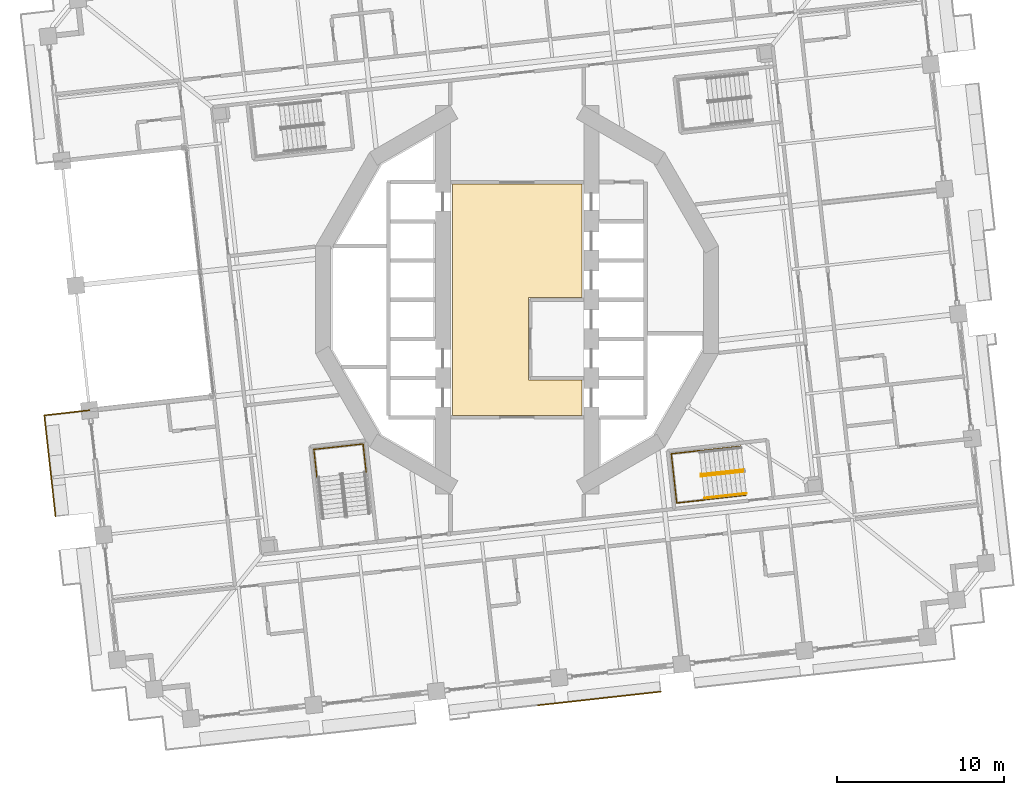
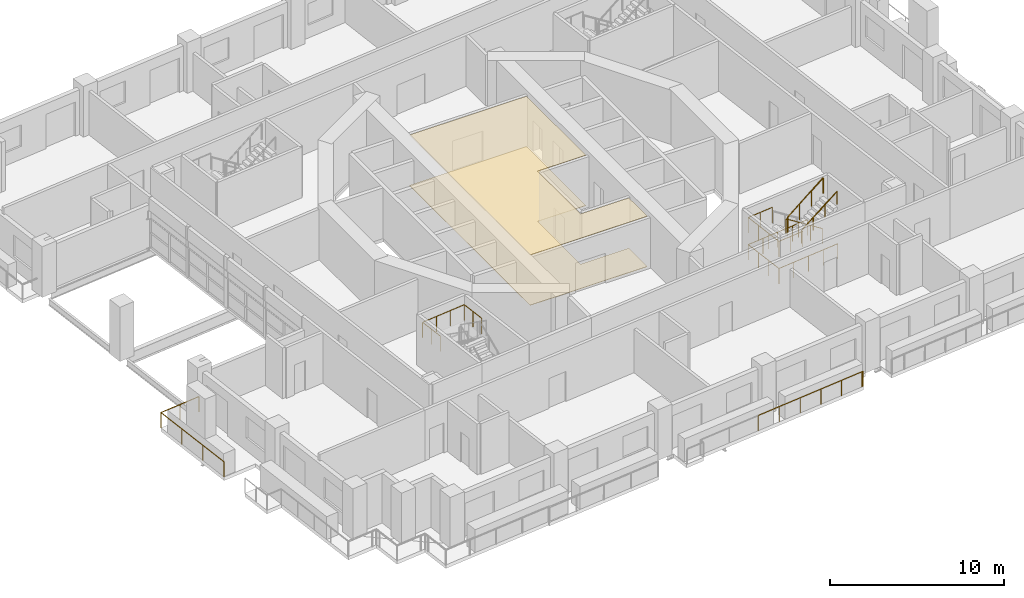
# One storey, part 16 of 21: 8 railings, 2 coverings.
"""IFC4 building model written with IfcOpenShell, lengths in metres."""

from ifc_helpers import new_model, si_unit, direction, frame, origin, origin_2d, place, context, subcontext, project, spatial, polyline, circle, outline, extrude, material, layer, layer_set, type_object, element, save


model = new_model("IFC4")

# Units and contexts
model_context = context("Model", 3, precision=1e-05, world=origin(), true_north=direction((0.0, 1.0)))
body_context = subcontext(model_context, "Body", "Model", "MODEL_VIEW")
ifc_project = project(units=[si_unit("LENGTHUNIT", "METRE"), si_unit("AREAUNIT", "SQUARE_METRE"), si_unit("VOLUMEUNIT", "CUBIC_METRE"), si_unit("PLANEANGLEUNIT", "RADIAN"), si_unit("MASSUNIT", "GRAM", prefix="KILO")], contexts=[model_context])

# Site, building, storey
site_placement = place(None, origin())
site = spatial("IfcSite", under=ifc_project, at=site_placement, CompositionType="ELEMENT")
building_placement = place(site_placement, origin())
building = spatial("IfcBuilding", under=site, at=building_placement, Name="Cantera Rosa Tower", CompositionType="ELEMENT")
storey_placement = place(building_placement, frame((0.0, 0.0, 72.89990234375)))
storey = spatial("IfcBuildingStorey", under=building, at=storey_placement, Name="L15", CompositionType="ELEMENT", Elevation=72.89990234375)

# Railings
ifc_material_1 = material(Name="Stainless steel and laminated glass", Category="steel")
railing_type_1 = type_object("IfcRailingType", Name="GUARD 1100", PredefinedType="BALUSTRADE", material=ifc_material_1)
railing_1_placement = place(storey_placement, frame((-27.669677734375, -12.9814453125, 0.0)))
element("IfcRailing", 1, at=railing_1_placement, inside=storey, type_object=railing_type_1, Name="GUARD L15-3", PredefinedType="BALUSTRADE", context=body_context, shape_type="SweptSolid", body=[
    extrude(circle(Radius=0.030029296875, at=origin_2d()), frame((0.0, 0.0, 1.070068359375), z_axis=(-0.110286322541, 0.993899857662, 0.0), x_axis=(-0.993899857662, -0.110286322541, 0.0)), (0.0, 0.0, 1.0), 6.08984375),
    extrude(circle(Radius=0.030029296875, at=origin_2d()), frame((-0.671630859375, 6.052734375, 1.070068359375), z_axis=(0.993893608981, 0.110342621082, 0.0), x_axis=(-0.110342621082, 0.993893608981, 0.0)), (0.0, 0.0, 1.0), 2.712646484375),
    extrude(circle(Radius=0.02490234375, at=origin_2d()), origin(), (0.0, 0.0, 1.0), 1.0400390625),
    extrude(circle(Radius=0.02490234375, at=origin_2d()), frame((-0.223876953125, 2.017578125, 0.0)), (0.0, 0.0, 1.0), 1.0400390625),
    extrude(circle(Radius=0.02490234375, at=origin_2d()), frame((-0.44775390625, 4.03515625, 0.0)), (0.0, 0.0, 1.0), 1.0400390625),
    extrude(circle(Radius=0.02490234375, at=origin_2d()), frame((-0.671630859375, 6.052734375, 0.0)), (0.0, 0.0, 1.0), 1.0400390625),
    extrude(circle(Radius=0.02490234375, at=origin_2d()), frame((0.67626953125, 6.202392578125, 0.0)), (0.0, 0.0, 1.0), 1.0400390625),
    extrude(circle(Radius=0.02490234375, at=origin_2d()), frame((2.0244140625, 6.35205078125, 0.0)), (0.0, 0.0, 1.0), 1.0400390625),
])
railing_2_placement = place(storey_placement, frame((8.6142578125, -23.4931640625, 0.0)))
element("IfcRailing", 2, at=railing_2_placement, inside=storey, type_object=railing_type_1, Name="GUARD L15-8", PredefinedType="BALUSTRADE", context=body_context, shape_type="SweptSolid", body=[
    extrude(circle(Radius=0.030029296875, at=origin_2d()), frame((0.0, 0.0, 1.070068359375), z_axis=(-0.994136314057, -0.108134125389, 0.0), x_axis=(0.108134125389, -0.994136314057, 0.0)), (0.0, 0.0, 1.0), 0.070068359375),
    extrude(circle(Radius=0.030029296875, at=origin_2d()), frame((-0.069580078125, -0.007568359375, 1.070068359375), z_axis=(-0.993891851654, -0.110358448777, 0.0), x_axis=(0.110358448777, -0.993891851654, 0.0)), (0.0, 0.0, 1.0), 4.400146484375),
    extrude(circle(Radius=0.030029296875, at=origin_2d()), frame((-4.44287109375, -0.4931640625, 1.070068359375), z_axis=(-0.993901585709, -0.110270748271, 0.0), x_axis=(0.110270748271, -0.993901585709, 0.0)), (0.0, 0.0, 1.0), 3.0),
    extrude(circle(Radius=0.02490234375, at=origin_2d()), origin(), (0.0, 0.0, 1.0), 1.0400390625),
    extrude(circle(Radius=0.02490234375, at=origin_2d()), frame((-0.069580078125, -0.007568359375, 0.0)), (0.0, 0.0, 1.0), 1.0400390625),
    extrude(circle(Radius=0.02490234375, at=origin_2d()), frame((-1.52734375, -0.16943359375, 0.0)), (0.0, 0.0, 1.0), 1.0400390625),
    extrude(circle(Radius=0.02490234375, at=origin_2d()), frame((-2.985107421875, -0.331298828125, 0.0)), (0.0, 0.0, 1.0), 1.0400390625),
    extrude(circle(Radius=0.02490234375, at=origin_2d()), frame((-4.44287109375, -0.4931640625, 0.0)), (0.0, 0.0, 1.0), 1.0400390625),
    extrude(circle(Radius=0.02490234375, at=origin_2d()), frame((-5.93359375, -0.65869140625, 0.0)), (0.0, 0.0, 1.0), 1.0400390625),
    extrude(circle(Radius=0.02490234375, at=origin_2d()), frame((-7.424560546875, -0.823974609375, 0.0)), (0.0, 0.0, 1.0), 1.0400390625),
])
ifc_material_2 = material(Name="Steel S355J2 (EN 10025-2)", Category="steel")
railing_type_2 = type_object("IfcRailingType", Name="STAIR GUARD 1100", PredefinedType="GUARDRAIL", material=ifc_material_2)
railing_3_placement = place(storey_placement, frame((-9.04638671875, -10.3349609375, 1.900146484375)))
element("IfcRailing", 3, at=railing_3_placement, inside=storey, type_object=railing_type_2, Name="L15 ST-13 stair guard 5", PredefinedType="GUARDRAIL", context=body_context, shape_type="SweptSolid", body=[
    extrude(circle(Radius=0.02392578125, at=origin_2d()), frame((0.0, 0.0, 1.076171875), z_axis=(-0.110305577623, 0.993897720867, 0.0), x_axis=(-0.993897720867, -0.110305577623, 0.0)), (0.0, 0.0, 1.0), 1.7021484375),
    extrude(circle(Radius=0.02392578125, at=origin_2d()), frame((-0.187744140625, 1.691650390625, 1.076171875), z_axis=(-0.993896759678, -0.110314237986, 0.0), x_axis=(0.110314237986, -0.993896759678, 0.0)), (0.0, 0.0, 1.0), 2.969970703125),
    extrude(circle(Radius=0.02392578125, at=origin_2d()), frame((-3.1396484375, 1.364013671875, 1.076171875), z_axis=(0.110447269257, -0.993881985305, 0.0), x_axis=(0.993881985305, 0.110447269257, 0.0)), (0.0, 0.0, 1.0), 1.7021484375),
    extrude(circle(Radius=0.02099609375, at=origin_2d()), origin(), (0.0, 0.0, 1.0), 1.052001953125),
    extrude(circle(Radius=0.02099609375, at=origin_2d()), frame((-0.09375, 0.845703125, 0.0)), (0.0, 0.0, 1.0), 1.052001953125),
    extrude(circle(Radius=0.02099609375, at=origin_2d()), frame((-0.187744140625, 1.691650390625, 0.0)), (0.0, 0.0, 1.0), 1.052001953125),
    extrude(circle(Radius=0.02099609375, at=origin_2d()), frame((-1.171630859375, 1.58251953125, 0.0)), (0.0, 0.0, 1.0), 1.052001953125),
    extrude(circle(Radius=0.02099609375, at=origin_2d()), frame((-2.15576171875, 1.47314453125, 0.0)), (0.0, 0.0, 1.0), 1.052001953125),
    extrude(circle(Radius=0.02099609375, at=origin_2d()), frame((-3.1396484375, 1.364013671875, 0.0)), (0.0, 0.0, 1.0), 1.052001953125),
    extrude(circle(Radius=0.02099609375, at=origin_2d()), frame((-3.045654296875, 0.51806640625, 0.0)), (0.0, 0.0, 1.0), 1.052001953125),
    extrude(circle(Radius=0.02099609375, at=origin_2d()), frame((-2.95166015625, -0.32763671875, 0.0)), (0.0, 0.0, 1.0), 1.052001953125),
])
railing_4_placement = place(storey_placement, frame((13.5859375, -10.19677734375, 0.190185546875)))
element("IfcRailing", 4, at=railing_4_placement, inside=storey, type_object=railing_type_2, Name="L15 ST-14 stair guard 1", PredefinedType="GUARDRAIL", context=body_context, shape_type="SweptSolid", body=[
    extrude(circle(Radius=0.02392578125, at=origin_2d()), frame((0.0, 0.0, 1.076171875), z_axis=(-0.822405392514, -0.091316020869, 0.561525382059), x_axis=(0.110357086308, -0.993892002937, 0.0)), (0.0, 0.0, 1.0), 3.045166015625),
    extrude(circle(Radius=0.02392578125, at=origin_2d()), frame((-2.50439453125, -0.278076171875, 2.7861328125), z_axis=(-0.933456941688, 0.358689472963, 0.0), x_axis=(-0.358689472963, -0.933456941688, 0.0)), (0.0, 0.0, 1.0), 0.056396484375),
    extrude(circle(Radius=0.02392578125, at=origin_2d()), frame((-2.55712890625, -0.2578125, 2.7861328125), z_axis=(0.110789159685, -0.993843932464, 0.0), x_axis=(0.993843932464, 0.110789159685, 0.0)), (0.0, 0.0, 1.0), 0.14990234375),
    extrude(circle(Radius=0.02099609375, at=origin_2d()), origin(), (0.0, 0.0, 1.0), 1.052001953125),
    extrude(circle(Radius=0.02099609375, at=origin_2d()), frame((-0.834716796875, -0.0927734375, 0.570068359375)), (0.0, 0.0, 1.0), 1.052001953125),
    extrude(circle(Radius=0.02099609375, at=origin_2d()), frame((-1.669677734375, -0.185302734375, 1.139892578125)), (0.0, 0.0, 1.0), 1.052001953125),
    extrude(circle(Radius=0.02099609375, at=origin_2d()), frame((-2.50439453125, -0.278076171875, 1.7099609375)), (0.0, 0.0, 1.0), 1.052001953125),
    extrude(circle(Radius=0.02099609375, at=origin_2d()), frame((-2.55712890625, -0.2578125, 1.7099609375)), (0.0, 0.0, 1.0), 1.052001953125),
    extrude(circle(Radius=0.02099609375, at=origin_2d()), frame((-2.54052734375, -0.40673828125, 1.7099609375)), (0.0, 0.0, 1.0), 1.052001953125),
])
railing_5_placement = place(storey_placement, frame((11.09228515625, -10.572265625, 2.090087890625)))
element("IfcRailing", 5, at=railing_5_placement, inside=storey, type_object=railing_type_2, Name="L15 ST-14 stair guard 2", PredefinedType="GUARDRAIL", context=body_context, shape_type="SweptSolid", body=[
    extrude(circle(Radius=0.02392578125, at=origin_2d()), frame((0.0, 0.0, 1.076171875), z_axis=(0.822431337597, 0.091310000343, 0.561488360321), x_axis=(-0.110346460196, 0.993893182753, 0.0)), (0.0, 0.0, 1.0), 3.04541015625),
    extrude(circle(Radius=0.02099609375, at=origin_2d()), origin(), (0.0, 0.0, 1.0), 1.052001953125),
    extrude(circle(Radius=0.02099609375, at=origin_2d()), frame((0.8349609375, 0.0927734375, 0.570068359375)), (0.0, 0.0, 1.0), 1.052001953125),
    extrude(circle(Radius=0.02099609375, at=origin_2d()), frame((1.669677734375, 0.185302734375, 1.139892578125)), (0.0, 0.0, 1.0), 1.052001953125),
    extrude(circle(Radius=0.02099609375, at=origin_2d()), frame((2.504638671875, 0.278076171875, 1.7099609375)), (0.0, 0.0, 1.0), 1.052001953125),
])
railing_6_placement = place(storey_placement, frame((13.415771484375, -8.77099609375, 0.0)))
element("IfcRailing", 6, at=railing_6_placement, inside=storey, type_object=railing_type_2, Name="L15 ST-14 stair guard 4", PredefinedType="GUARDRAIL", context=body_context, shape_type="SweptSolid", body=[
    extrude(circle(Radius=0.02392578125, at=origin_2d()), frame((0.0, 0.0, 1.076171875), z_axis=(-0.9938957856, -0.110323013767, 0.0), x_axis=(0.110323013767, -0.9938957856, 0.0)), (0.0, 0.0, 1.0), 4.197998046875),
    extrude(circle(Radius=0.02392578125, at=origin_2d()), frame((-4.17236328125, -0.463134765625, 1.076171875), z_axis=(0.110314237986, -0.993896759678, 0.0), x_axis=(0.993896759678, 0.110314237986, 0.0)), (0.0, 0.0, 1.0), 2.969970703125),
    extrude(circle(Radius=0.02392578125, at=origin_2d()), frame((-3.8447265625, -3.4150390625, 1.076171875), z_axis=(0.9938957856, 0.110323013767, 0.0), x_axis=(-0.110323013767, 0.9938957856, 0.0)), (0.0, 0.0, 1.0), 4.197998046875),
    extrude(circle(Radius=0.02099609375, at=origin_2d()), origin(), (0.0, 0.0, 1.0), 1.052001953125),
    extrude(circle(Radius=0.02099609375, at=origin_2d()), frame((-1.04296875, -0.11572265625, 0.0)), (0.0, 0.0, 1.0), 1.052001953125),
    extrude(circle(Radius=0.02099609375, at=origin_2d()), frame((-2.086181640625, -0.2314453125, 0.0)), (0.0, 0.0, 1.0), 1.052001953125),
    extrude(circle(Radius=0.02099609375, at=origin_2d()), frame((-3.12939453125, -0.347412109375, 0.0)), (0.0, 0.0, 1.0), 1.052001953125),
    extrude(circle(Radius=0.02099609375, at=origin_2d()), frame((-4.17236328125, -0.463134765625, 0.0)), (0.0, 0.0, 1.0), 1.052001953125),
    extrude(circle(Radius=0.02099609375, at=origin_2d()), frame((-4.063232421875, -1.447021484375, 0.0)), (0.0, 0.0, 1.0), 1.052001953125),
    extrude(circle(Radius=0.02099609375, at=origin_2d()), frame((-3.953857421875, -2.43115234375, 0.0)), (0.0, 0.0, 1.0), 1.052001953125),
    extrude(circle(Radius=0.02099609375, at=origin_2d()), frame((-3.8447265625, -3.4150390625, 0.0)), (0.0, 0.0, 1.0), 1.052001953125),
    extrude(circle(Radius=0.02099609375, at=origin_2d()), frame((-2.8017578125, -3.29931640625, 0.0)), (0.0, 0.0, 1.0), 1.052001953125),
    extrude(circle(Radius=0.02099609375, at=origin_2d()), frame((-1.758544921875, -3.18359375, 0.0)), (0.0, 0.0, 1.0), 1.052001953125),
    extrude(circle(Radius=0.02099609375, at=origin_2d()), frame((-0.71533203125, -3.067626953125, 0.0)), (0.0, 0.0, 1.0), 1.052001953125),
    extrude(circle(Radius=0.02099609375, at=origin_2d()), frame((0.32763671875, -2.951904296875, 0.0)), (0.0, 0.0, 1.0), 1.052001953125),
])
railing_7_placement = place(storey_placement, frame((10.93505859375, -9.04638671875, 1.900146484375)))
element("IfcRailing", 7, at=railing_7_placement, inside=storey, type_object=railing_type_2, Name="L15 ST-14 stair guard 5", PredefinedType="GUARDRAIL", context=body_context, shape_type="SweptSolid", body=[
    extrude(circle(Radius=0.02392578125, at=origin_2d()), frame((0.0, 0.0, 1.076171875), z_axis=(-0.993897720867, -0.110305577623, 0.0), x_axis=(0.110305577623, -0.993897720867, 0.0)), (0.0, 0.0, 1.0), 1.7021484375),
    extrude(circle(Radius=0.02392578125, at=origin_2d()), frame((-1.691650390625, -0.187744140625, 1.076171875), z_axis=(0.110314237986, -0.993896759678, 0.0), x_axis=(0.993896759678, 0.110314237986, 0.0)), (0.0, 0.0, 1.0), 2.969970703125),
    extrude(circle(Radius=0.02392578125, at=origin_2d()), frame((-1.364013671875, -3.1396484375, 1.076171875), z_axis=(0.993881985305, 0.110447269257, 0.0), x_axis=(-0.110447269257, 0.993881985305, 0.0)), (0.0, 0.0, 1.0), 1.7021484375),
    extrude(circle(Radius=0.02099609375, at=origin_2d()), origin(), (0.0, 0.0, 1.0), 1.052001953125),
    extrude(circle(Radius=0.02099609375, at=origin_2d()), frame((-0.845703125, -0.09375, 0.0)), (0.0, 0.0, 1.0), 1.052001953125),
    extrude(circle(Radius=0.02099609375, at=origin_2d()), frame((-1.691650390625, -0.187744140625, 0.0)), (0.0, 0.0, 1.0), 1.052001953125),
    extrude(circle(Radius=0.02099609375, at=origin_2d()), frame((-1.58251953125, -1.171630859375, 0.0)), (0.0, 0.0, 1.0), 1.052001953125),
    extrude(circle(Radius=0.02099609375, at=origin_2d()), frame((-1.47314453125, -2.15576171875, 0.0)), (0.0, 0.0, 1.0), 1.052001953125),
    extrude(circle(Radius=0.02099609375, at=origin_2d()), frame((-1.364013671875, -3.1396484375, 0.0)), (0.0, 0.0, 1.0), 1.052001953125),
    extrude(circle(Radius=0.02099609375, at=origin_2d()), frame((-0.51806640625, -3.045654296875, 0.0)), (0.0, 0.0, 1.0), 1.052001953125),
    extrude(circle(Radius=0.02099609375, at=origin_2d()), frame((0.32763671875, -2.95166015625, 0.0)), (0.0, 0.0, 1.0), 1.052001953125),
])
ifc_material_3 = material(Name="Steel S355J2 (EN 10025-2)", Category="steel")
railing_type_3 = type_object("IfcRailingType", Name="STAIR HANDRAIL 900", PredefinedType="HANDRAIL", material=ifc_material_3)
railing_8_placement = place(storey_placement, frame((11.238525390625, -11.89013671875, 2.090087890625)))
element("IfcRailing", 8, at=railing_8_placement, inside=storey, type_object=railing_type_3, Name="L15 ST-14 stair handrail 2", PredefinedType="HANDRAIL", context=body_context, shape_type="SweptSolid", body=[
    extrude(circle(Radius=0.02392578125, at=origin_2d()), frame((0.0, 0.0, 0.8759765625), z_axis=(0.822431337597, 0.091310000343, 0.561488360321), x_axis=(-0.110346460196, 0.993893182753, 0.0)), (0.0, 0.0, 1.0), 3.04541015625),
    extrude(circle(Radius=0.02099609375, at=origin_2d()), origin(), (0.0, 0.0, 1.0), 0.851806640625),
    extrude(circle(Radius=0.02099609375, at=origin_2d()), frame((0.8349609375, 0.0927734375, 0.570068359375)), (0.0, 0.0, 1.0), 0.851806640625),
    extrude(circle(Radius=0.02099609375, at=origin_2d()), frame((1.669677734375, 0.185302734375, 1.139892578125)), (0.0, 0.0, 1.0), 0.851806640625),
    extrude(circle(Radius=0.02099609375, at=origin_2d()), frame((2.504638671875, 0.278076171875, 1.7099609375)), (0.0, 0.0, 1.0), 0.851806640625),
])

# Coverings
ifc_material_4 = material(Name="Limestone paving", Category="masonry")
ifc_layer_1 = layer(ifc_material_4, 0.02490234375)
ifc_layer_set_1 = layer_set([ifc_layer_1], Name="STONE FLOOR FINISH 25")
covering_type_1 = type_object("IfcCoveringType", Name="STONE FLOOR FINISH 25", PredefinedType="FLOORING", material=ifc_layer_set_1)
covering_1_placement = place(storey_placement, origin())
element("IfcCovering", 9, at=covering_1_placement, inside=storey, type_object=covering_type_1, Name="STONE FLOOR FINISH L15", PredefinedType="FLOORING", context=body_context, shape_type="SweptSolid", body=[
    extrude(outline(polyline([(3.8798828125, 6.929931640625), (3.8798828125, 0.1201171875), (0.679931640625, 0.1201171875), (0.679931640625, -4.820068359375), (3.8798828125, -4.820068359375), (3.8798828125, -6.929931640625), (-3.8798828125, -6.929931640625), (-3.8798828125, 6.929931640625), (3.8798828125, 6.929931640625)])), origin(), (0.0, 0.0, 1.0), 0.025146484375),
])
ifc_material_5 = material(Name="Gypsum ceiling tile")
ifc_layer_2 = layer(ifc_material_5, 0.030029296875)
ifc_layer_set_2 = layer_set([ifc_layer_2], Name="SUSPENDED CEILING 30")
covering_type_2 = type_object("IfcCoveringType", Name="SUSPENDED CEILING 30", PredefinedType="CEILING", material=ifc_layer_set_2)
covering_2_placement = place(storey_placement, frame((0.0, 0.0, 3.52001953125)))
element("IfcCovering", 10, at=covering_2_placement, inside=storey, type_object=covering_type_2, Name="SUSPENDED CEILING L15", PredefinedType="CEILING", context=body_context, shape_type="SweptSolid", body=[
    extrude(outline(polyline([(3.8798828125, 6.929931640625), (3.8798828125, 0.1201171875), (0.679931640625, 0.1201171875), (0.679931640625, -4.820068359375), (3.8798828125, -4.820068359375), (3.8798828125, -6.929931640625), (-3.8798828125, -6.929931640625), (-3.8798828125, 6.929931640625), (3.8798828125, 6.929931640625)])), origin(), (0.0, 0.0, 1.0), 0.030029296875),
])

save(model, "model.ifc")
